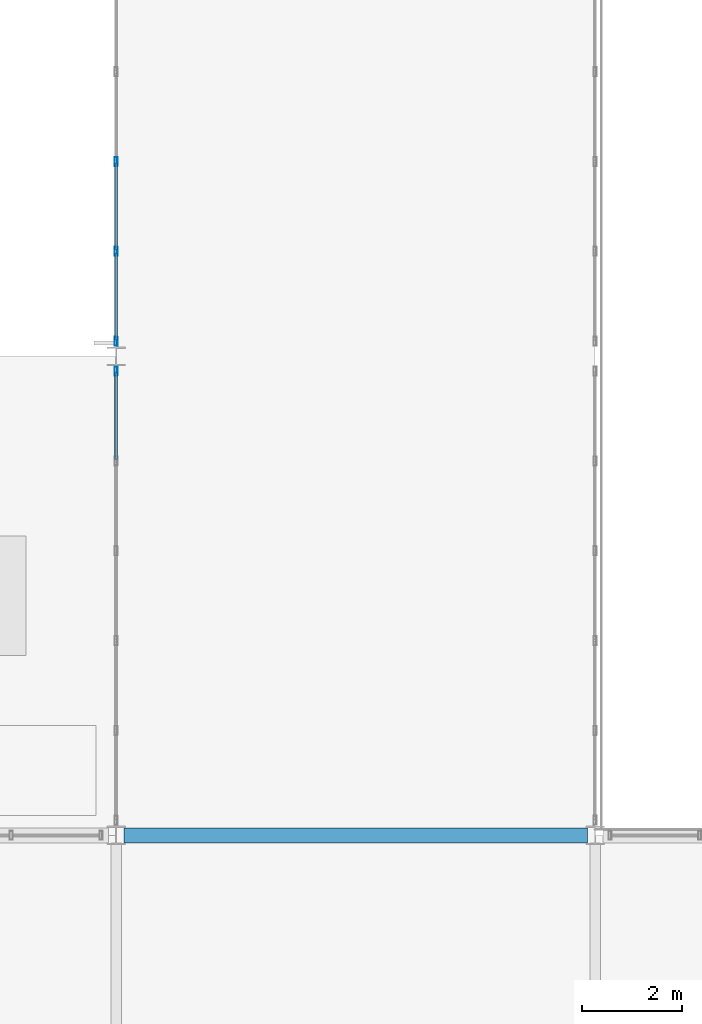
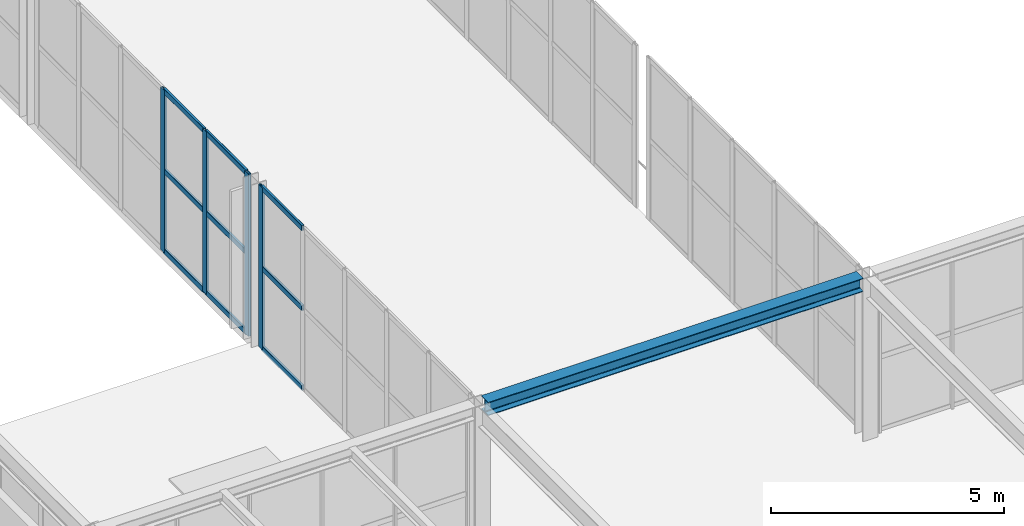
# One storey, part 56 of 170: 13 members, 1 beam, 2 elements without a shape of their own.
"""IFC4 building model written with IfcOpenShell, lengths in metres."""

from ifc_helpers import new_model, si_unit, direction, frame, origin, origin_2d, place, context, subcontext, project, spatial, hollow_rectangle, i_section, extrude, material, material_profile, profile_set, type_object, element, aggregate, save


model = new_model("IFC4")

# Units and contexts
model_context = context("Model", 3, precision=1e-05, world=origin(), true_north=direction((0.0, 1.0)))
body_context = subcontext(model_context, "Body", "Model", "MODEL_VIEW")
ifc_project = project(units=[si_unit("LENGTHUNIT", "METRE"), si_unit("AREAUNIT", "SQUARE_METRE"), si_unit("VOLUMEUNIT", "CUBIC_METRE"), si_unit("PLANEANGLEUNIT", "RADIAN"), si_unit("MASSUNIT", "GRAM", prefix="KILO")], contexts=[model_context])

# Site, building, storey
site_placement = place(None, origin())
site = spatial("IfcSite", under=ifc_project, at=site_placement, CompositionType="ELEMENT")
building_placement = place(site_placement, origin())
building = spatial("IfcBuilding", under=site, at=building_placement, Name="Coralgate Yard Interchange", CompositionType="ELEMENT")
storey_placement = place(building_placement, frame((0.0, 0.0, 6.0)))
storey = spatial("IfcBuildingStorey", under=building, at=storey_placement, Name="L01", CompositionType="ELEMENT", Elevation=6.0)

# Beam
ifc_material_1 = material(Name="Structural steel S355J2", Category="steel")
ifc_material_profile_1 = material_profile(ifc_material_1, i_section(OverallWidth=0.300048828125, OverallDepth=0.35009765625, WebThickness=0.010009765625, FlangeThickness=0.017578125, FilletRadius=0.027099609375, at=origin_2d()), Name="HEA 360")
ifc_profile_set_1 = profile_set([ifc_material_profile_1], Name="Structural steel S355J2")
beam_type = type_object("IfcBeamType", Name="BM-SP-1", PredefinedType="SPANDREL", material=ifc_profile_set_1)
beam_placement = place(storey_placement, frame((38.556396484375, 48.0, 4.074951171875), z_axis=(1.0, 0.0, 0.0), x_axis=(0.0, 1.0, 0.0)))
element("IfcBeam", 1, at=beam_placement, inside=storey, type_object=beam_type, Name="L01 primary grid beam Y5 X4-5", PredefinedType="SPANDREL", context=body_context, shape_type="SweptSolid", body=[
    extrude(i_section(OverallWidth=0.300048828125, OverallDepth=0.35009765625, WebThickness=0.010009765625, FlangeThickness=0.017578125, FilletRadius=0.027099609375, at=origin_2d()), origin(), (0.0, 0.0, 1.0), 9.287353515625),
])

# Curtain wall, member
ifc_material_2 = material(Name="Anodised coastal aluminium and solar-control low-E glass", Category="aluminium")
curtain_wall_type = type_object("IfcCurtainWallType", Name="CW-CW-L01-A", PredefinedType="NOTDEFINED", material=ifc_material_2)
curtain_wall_1_placement = place(storey_placement, origin())
curtain_wall_1 = element("IfcCurtainWall", 2, at=curtain_wall_1_placement, inside=storey, type_object=curtain_wall_type, Name="L01 unitised curtain wall CW-L01-W-04-05", PredefinedType="NOTDEFINED")
ifc_material_3 = material(Name="Anodised coastal aluminium 6063-T6", Category="aluminium")
ifc_material_profile_2 = material_profile(ifc_material_3, hollow_rectangle(XDim=0.06005859375, YDim=0.179931640625, WallThickness=0.00390625, InnerFilletRadius=0.00390625, OuterFilletRadius=0.008056640625, at=origin_2d()), Name="ALU 60x180x4")
ifc_profile_set_2 = profile_set([ifc_material_profile_2], Name="Anodised coastal aluminium 6063-T6")
member_type_1 = type_object("IfcMemberType", Name="MB-MUL-180", PredefinedType="MULLION", material=ifc_profile_set_2)
member_1_placement = place(storey_placement, frame((38.39990234375, 57.300048828125, 0.0), z_axis=(0.0, 0.0, 1.0), x_axis=(1.0, 0.0, 0.0)))
member_1 = element("IfcMember", 3, at=member_1_placement, type_object=member_type_1, Name="CW-L01-W-04-05 vertical mullion 6", PredefinedType="MULLION", context=body_context, shape_type="SweptSolid", body=[
    extrude(hollow_rectangle(XDim=0.06005859375, YDim=0.179931640625, WallThickness=0.00390625, InnerFilletRadius=0.00390625, OuterFilletRadius=0.008056640625, at=origin_2d()), origin(), (0.0, 0.0, 1.0), 4.25),
])

# Curtain wall, members
curtain_wall_2_placement = place(storey_placement, origin())
curtain_wall_2 = element("IfcCurtainWall", 4, at=curtain_wall_2_placement, inside=storey, type_object=curtain_wall_type, Name="L01 unitised curtain wall CW-L01-W-04-06", PredefinedType="NOTDEFINED")
member_2_placement = place(storey_placement, frame((38.39990234375, 57.89990234375, 0.0), z_axis=(0.0, 0.0, 1.0), x_axis=(1.0, 0.0, 0.0)))
member_2 = element("IfcMember", 5, at=member_2_placement, type_object=member_type_1, Name="CW-L01-W-04-06 vertical mullion 1", PredefinedType="MULLION", context=body_context, shape_type="SweptSolid", body=[
    extrude(hollow_rectangle(XDim=0.06005859375, YDim=0.179931640625, WallThickness=0.00390625, InnerFilletRadius=0.00390625, OuterFilletRadius=0.008056640625, at=origin_2d()), origin(), (0.0, 0.0, 1.0), 4.25),
])
member_3_placement = place(storey_placement, frame((38.39990234375, 59.699951171875, 0.0), z_axis=(0.0, 0.0, 1.0), x_axis=(1.0, 0.0, 0.0)))
member_3 = element("IfcMember", 6, at=member_3_placement, type_object=member_type_1, Name="CW-L01-W-04-06 vertical mullion 2", PredefinedType="MULLION", context=body_context, shape_type="SweptSolid", body=[
    extrude(hollow_rectangle(XDim=0.06005859375, YDim=0.179931640625, WallThickness=0.00390625, InnerFilletRadius=0.00390625, OuterFilletRadius=0.008056640625, at=origin_2d()), origin(), (0.0, 0.0, 1.0), 4.25),
])
member_4_placement = place(storey_placement, frame((38.39990234375, 61.5, 0.0), z_axis=(0.0, 0.0, 1.0), x_axis=(1.0, 0.0, 0.0)))
member_4 = element("IfcMember", 7, at=member_4_placement, type_object=member_type_1, Name="CW-L01-W-04-06 vertical mullion 3", PredefinedType="MULLION", context=body_context, shape_type="SweptSolid", body=[
    extrude(hollow_rectangle(XDim=0.06005859375, YDim=0.179931640625, WallThickness=0.00390625, InnerFilletRadius=0.00390625, OuterFilletRadius=0.008056640625, at=origin_2d()), origin(), (0.0, 0.0, 1.0), 4.25),
])

# Member
ifc_material_profile_3 = material_profile(ifc_material_3, hollow_rectangle(XDim=0.06005859375, YDim=0.139892578125, WallThickness=0.00341796875, InnerFilletRadius=0.00341796875, OuterFilletRadius=0.007080078125, at=origin_2d()), Name="ALU 60x140x3.5")
ifc_profile_set_3 = profile_set([ifc_material_profile_3], Name="Anodised coastal aluminium 6063-T6")
member_type_2 = type_object("IfcMemberType", Name="MB-TRN-140", PredefinedType="USERDEFINED", material=ifc_profile_set_3)
member_5_placement = place(storey_placement, frame((38.39990234375, 55.530029296875, 0.034912109375), z_axis=(0.0, 1.0, 0.0), x_axis=(-1.0, 0.0, 0.0)))
member_5 = element("IfcMember", 8, at=member_5_placement, type_object=member_type_2, Name="CW-L01-W-04-05 horizontal transom 5-1", ObjectType="TRANSOM", PredefinedType="USERDEFINED", context=body_context, shape_type="SweptSolid", body=[
    extrude(hollow_rectangle(XDim=0.06005859375, YDim=0.139892578125, WallThickness=0.00341796875, InnerFilletRadius=0.00341796875, OuterFilletRadius=0.007080078125, at=origin_2d()), origin(), (0.0, 0.0, 1.0), 1.739990234375),
])

member_6_placement = place(storey_placement, frame((38.39990234375, 55.530029296875, 2.125), z_axis=(0.0, 1.0, 0.0), x_axis=(-1.0, 0.0, 0.0)))
member_6 = element("IfcMember", 9, at=member_6_placement, type_object=member_type_2, Name="CW-L01-W-04-05 horizontal transom 5-2", ObjectType="TRANSOM", PredefinedType="USERDEFINED", context=body_context, shape_type="SweptSolid", body=[
    extrude(hollow_rectangle(XDim=0.06005859375, YDim=0.139892578125, WallThickness=0.00341796875, InnerFilletRadius=0.00341796875, OuterFilletRadius=0.007080078125, at=origin_2d()), origin(), (0.0, 0.0, 1.0), 1.739990234375),
])

member_7_placement = place(storey_placement, frame((38.39990234375, 55.530029296875, 4.215087890625), z_axis=(0.0, 1.0, 0.0), x_axis=(-1.0, 0.0, 0.0)))
member_7 = element("IfcMember", 10, at=member_7_placement, type_object=member_type_2, Name="CW-L01-W-04-05 horizontal transom 5-3", ObjectType="TRANSOM", PredefinedType="USERDEFINED", context=body_context, shape_type="SweptSolid", body=[
    extrude(hollow_rectangle(XDim=0.06005859375, YDim=0.139892578125, WallThickness=0.00341796875, InnerFilletRadius=0.00341796875, OuterFilletRadius=0.007080078125, at=origin_2d()), origin(), (0.0, 0.0, 1.0), 1.739990234375),
])

aggregate(curtain_wall_1, [member_1, member_5, member_6, member_7])

member_8_placement = place(storey_placement, frame((38.39990234375, 57.929931640625, 0.034912109375), z_axis=(0.0, 1.0, 0.0), x_axis=(-1.0, 0.0, 0.0)))
member_8 = element("IfcMember", 11, at=member_8_placement, type_object=member_type_2, Name="CW-L01-W-04-06 horizontal transom 1-1", ObjectType="TRANSOM", PredefinedType="USERDEFINED", context=body_context, shape_type="SweptSolid", body=[
    extrude(hollow_rectangle(XDim=0.06005859375, YDim=0.139892578125, WallThickness=0.00341796875, InnerFilletRadius=0.00341796875, OuterFilletRadius=0.007080078125, at=origin_2d()), origin(), (0.0, 0.0, 1.0), 1.739990234375),
])

member_9_placement = place(storey_placement, frame((38.39990234375, 57.929931640625, 2.125), z_axis=(0.0, 1.0, 0.0), x_axis=(-1.0, 0.0, 0.0)))
member_9 = element("IfcMember", 12, at=member_9_placement, type_object=member_type_2, Name="CW-L01-W-04-06 horizontal transom 1-2", ObjectType="TRANSOM", PredefinedType="USERDEFINED", context=body_context, shape_type="SweptSolid", body=[
    extrude(hollow_rectangle(XDim=0.06005859375, YDim=0.139892578125, WallThickness=0.00341796875, InnerFilletRadius=0.00341796875, OuterFilletRadius=0.007080078125, at=origin_2d()), origin(), (0.0, 0.0, 1.0), 1.739990234375),
])

member_10_placement = place(storey_placement, frame((38.39990234375, 57.929931640625, 4.215087890625), z_axis=(0.0, 1.0, 0.0), x_axis=(-1.0, 0.0, 0.0)))
member_10 = element("IfcMember", 13, at=member_10_placement, type_object=member_type_2, Name="CW-L01-W-04-06 horizontal transom 1-3", ObjectType="TRANSOM", PredefinedType="USERDEFINED", context=body_context, shape_type="SweptSolid", body=[
    extrude(hollow_rectangle(XDim=0.06005859375, YDim=0.139892578125, WallThickness=0.00341796875, InnerFilletRadius=0.00341796875, OuterFilletRadius=0.007080078125, at=origin_2d()), origin(), (0.0, 0.0, 1.0), 1.739990234375),
])

member_11_placement = place(storey_placement, frame((38.39990234375, 59.72998046875, 0.034912109375), z_axis=(0.0, 1.0, 0.0), x_axis=(-1.0, 0.0, 0.0)))
member_11 = element("IfcMember", 14, at=member_11_placement, type_object=member_type_2, Name="CW-L01-W-04-06 horizontal transom 2-1", ObjectType="TRANSOM", PredefinedType="USERDEFINED", context=body_context, shape_type="SweptSolid", body=[
    extrude(hollow_rectangle(XDim=0.06005859375, YDim=0.139892578125, WallThickness=0.00341796875, InnerFilletRadius=0.00341796875, OuterFilletRadius=0.007080078125, at=origin_2d()), origin(), (0.0, 0.0, 1.0), 1.739990234375),
])

member_12_placement = place(storey_placement, frame((38.39990234375, 59.72998046875, 2.125), z_axis=(0.0, 1.0, 0.0), x_axis=(-1.0, 0.0, 0.0)))
member_12 = element("IfcMember", 15, at=member_12_placement, type_object=member_type_2, Name="CW-L01-W-04-06 horizontal transom 2-2", ObjectType="TRANSOM", PredefinedType="USERDEFINED", context=body_context, shape_type="SweptSolid", body=[
    extrude(hollow_rectangle(XDim=0.06005859375, YDim=0.139892578125, WallThickness=0.00341796875, InnerFilletRadius=0.00341796875, OuterFilletRadius=0.007080078125, at=origin_2d()), origin(), (0.0, 0.0, 1.0), 1.739990234375),
])

member_13_placement = place(storey_placement, frame((38.39990234375, 59.72998046875, 4.215087890625), z_axis=(0.0, 1.0, 0.0), x_axis=(-1.0, 0.0, 0.0)))
member_13 = element("IfcMember", 16, at=member_13_placement, type_object=member_type_2, Name="CW-L01-W-04-06 horizontal transom 2-3", ObjectType="TRANSOM", PredefinedType="USERDEFINED", context=body_context, shape_type="SweptSolid", body=[
    extrude(hollow_rectangle(XDim=0.06005859375, YDim=0.139892578125, WallThickness=0.00341796875, InnerFilletRadius=0.00341796875, OuterFilletRadius=0.007080078125, at=origin_2d()), origin(), (0.0, 0.0, 1.0), 1.739990234375),
])

aggregate(curtain_wall_2, [member_2, member_3, member_4, member_8, member_9, member_10, member_11, member_12, member_13])

save(model, "model.ifc")
